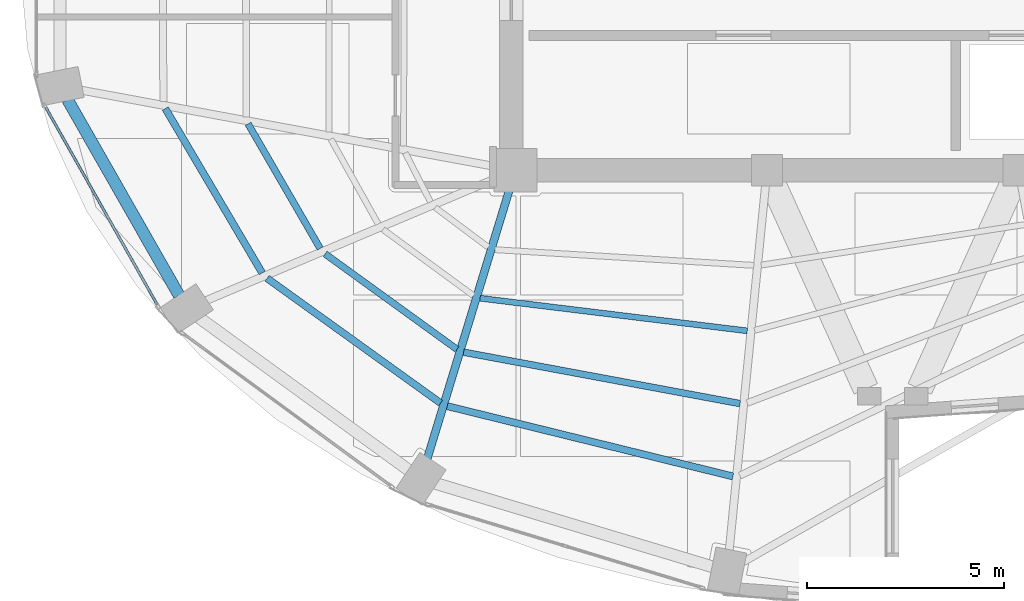
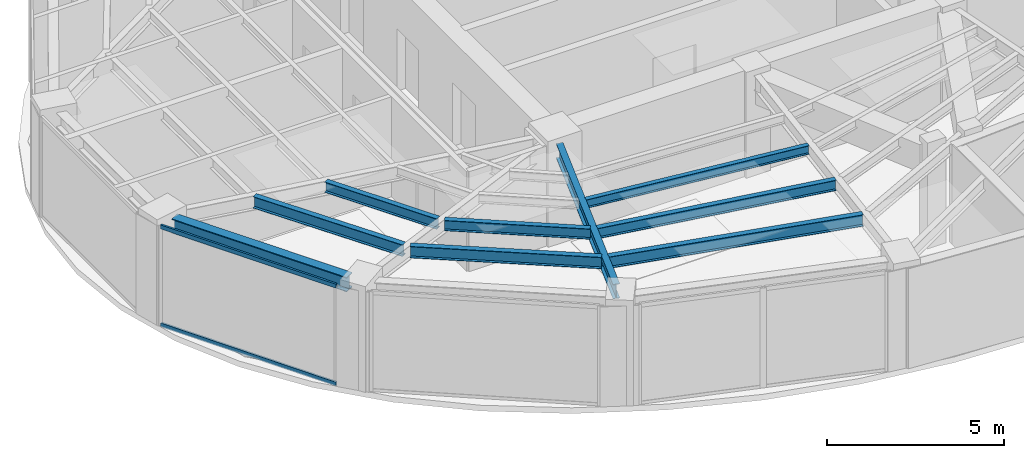
# One storey, part 3 of 23: 9 beams, 2 members, 1 element without a shape of its own.
"""IFC4 building model written with IfcOpenShell, lengths in metres."""

from ifc_helpers import new_model, si_unit, direction, frame, origin, origin_2d, place, context, subcontext, project, spatial, hollow_rectangle, i_section, extrude, material, layer, layer_set, material_profile, profile_set, type_object, element, aggregate, save


model = new_model("IFC4")

# Units and contexts
model_context = context("Model", 3, precision=1e-05, world=origin(), true_north=direction((0.0, 1.0)))
body_context = subcontext(model_context, "Body", "Model", "MODEL_VIEW")
ifc_project = project(units=[si_unit("LENGTHUNIT", "METRE"), si_unit("AREAUNIT", "SQUARE_METRE"), si_unit("VOLUMEUNIT", "CUBIC_METRE"), si_unit("PLANEANGLEUNIT", "RADIAN"), si_unit("MASSUNIT", "GRAM", prefix="KILO")], contexts=[model_context])

# Site, building, storey
site_placement = place(None, origin())
site = spatial("IfcSite", under=ifc_project, at=site_placement, CompositionType="ELEMENT")
building_placement = place(site_placement, origin())
building = spatial("IfcBuilding", under=site, at=building_placement, Name="Lazwardi Medical Tower", CompositionType="ELEMENT")
storey_placement = place(building_placement, frame((0.0, 0.0, 198.47998046875)))
storey = spatial("IfcBuildingStorey", under=building, at=storey_placement, Name="L51", CompositionType="ELEMENT", Elevation=198.47998046875)

# Beams
ifc_material_1 = material(Name="Steel S355", Category="steel")
ifc_material_profile_1 = material_profile(ifc_material_1, i_section(OverallWidth=0.300048828125, OverallDepth=0.5, WebThickness=0.014404296875, FlangeThickness=0.028076171875, at=origin_2d()), Name="HEB 500")
ifc_profile_set_1 = profile_set([ifc_material_profile_1], Name="Steel S355")
beam_type_1 = type_object("IfcBeamType", Name="BM-RB-Z4", PredefinedType="BEAM", material=ifc_profile_set_1)
beam_1_placement = place(storey_placement, frame((15.008056640625, 22.1982421875, 3.197998046875), z_axis=(0.495125273299, -0.868821594886, 0.0), x_axis=(0.868821594886, 0.495125273299, 0.0)))
element("IfcBeam", 1, at=beam_1_placement, inside=storey, type_object=beam_type_1, Name="Ring beam RB-05 B13 L51", PredefinedType="BEAM", context=body_context, shape_type="SweptSolid", body=[
    extrude(i_section(OverallWidth=0.300048828125, OverallDepth=0.5, WebThickness=0.014404296875, FlangeThickness=0.028076171875, at=origin_2d()), origin(), (0.0, 0.0, 1.0), 5.734130859375),
])
ifc_material_profile_2 = material_profile(ifc_material_1, i_section(OverallWidth=0.199951171875, OverallDepth=0.5, WebThickness=0.01025390625, FlangeThickness=0.01611328125, at=origin_2d()), Name="IPE 500")
ifc_profile_set_2 = profile_set([ifc_material_profile_2], Name="Steel S355")
beam_type_2 = type_object("IfcBeamType", Name="BM-RG-W3", PredefinedType="BEAM", material=ifc_profile_set_2)
beam_2_placement = place(storey_placement, frame((24.156005859375, 13.0576171875, 3.197998046875), z_axis=(0.292276716539, 0.956333791607, 0.0), x_axis=(-0.956333791607, 0.292276716539, 0.0)))
element("IfcBeam", 2, at=beam_2_placement, inside=storey, type_object=beam_type_2, Name="Radial girder RG-04 R15 L51", PredefinedType="BEAM", context=body_context, shape_type="SweptSolid", body=[
    extrude(i_section(OverallWidth=0.199951171875, OverallDepth=0.5, WebThickness=0.01025390625, FlangeThickness=0.01611328125, at=origin_2d()), origin(), (0.0, 0.0, 1.0), 7.142822265625),
])
ifc_material_profile_3 = material_profile(ifc_material_1, i_section(OverallWidth=0.179931640625, OverallDepth=0.39990234375, WebThickness=0.008544921875, FlangeThickness=0.013427734375, at=origin_2d()), Name="IPE 400")
ifc_profile_set_3 = profile_set([ifc_material_profile_3], Name="Steel S355")
beam_type_3 = type_object("IfcBeamType", Name="BM-SJ-01", PredefinedType="JOIST", material=ifc_profile_set_3)
beam_3_placement = place(storey_placement, frame((17.495849609375, 21.969482421875, 3.248046875), z_axis=(0.507710311367, -0.861527851977, 0.0), x_axis=(0.861527851977, 0.507710311367, 0.0)))
element("IfcBeam", 3, at=beam_3_placement, inside=storey, type_object=beam_type_3, Name="Secondary joist SJ-01 R1 B13 L51", PredefinedType="JOIST", context=body_context, shape_type="SweptSolid", body=[
    extrude(i_section(OverallWidth=0.179931640625, OverallDepth=0.39990234375, WebThickness=0.008544921875, FlangeThickness=0.013427734375, at=origin_2d()), origin(), (0.0, 0.0, 1.0), 4.852783203125),
])
beam_4_placement = place(storey_placement, frame((20.085205078125, 17.651123046875, 3.248046875), z_axis=(0.811889581337, -0.58381102055, 0.0), x_axis=(0.58381102055, 0.811889581337, 0.0)))
element("IfcBeam", 4, at=beam_4_placement, inside=storey, type_object=beam_type_3, Name="Secondary joist SJ-01 R1 B14 L51", PredefinedType="JOIST", context=body_context, shape_type="SweptSolid", body=[
    extrude(i_section(OverallWidth=0.179931640625, OverallDepth=0.39990234375, WebThickness=0.008544921875, FlangeThickness=0.013427734375, at=origin_2d()), origin(), (0.0, 0.0, 1.0), 5.433349609375),
])
beam_5_placement = place(storey_placement, frame((24.665771484375, 14.40087890625, 3.248046875), z_axis=(0.971041669317, -0.238910184904, 0.0), x_axis=(0.238910184904, 0.971041669317, 0.0)))
element("IfcBeam", 5, at=beam_5_placement, inside=storey, type_object=beam_type_3, Name="Secondary joist SJ-01 R1 B15 L51", PredefinedType="JOIST", context=body_context, shape_type="SweptSolid", body=[
    extrude(i_section(OverallWidth=0.179931640625, OverallDepth=0.39990234375, WebThickness=0.008544921875, FlangeThickness=0.013427734375, at=origin_2d()), origin(), (0.0, 0.0, 1.0), 7.482421875),
])
ifc_material_profile_4 = material_profile(ifc_material_1, i_section(OverallWidth=0.169921875, OverallDepth=0.360107421875, WebThickness=0.008056640625, FlangeThickness=0.0126953125, at=origin_2d()), Name="IPE 360")
ifc_profile_set_4 = profile_set([ifc_material_profile_4], Name="Steel S355")
beam_type_4 = type_object("IfcBeamType", Name="BM-SJ-02", PredefinedType="JOIST", material=ifc_profile_set_4)
beam_6_placement = place(storey_placement, frame((19.601806640625, 21.58056640625, 3.26806640625), z_axis=(0.500655179543, -0.865646805109, 0.0), x_axis=(0.865646805109, 0.500655179543, 0.0)))
element("IfcBeam", 6, at=beam_6_placement, inside=storey, type_object=beam_type_4, Name="Secondary joist SJ-02 R2 B13 L51", PredefinedType="JOIST", context=body_context, shape_type="SweptSolid", body=[
    extrude(i_section(OverallWidth=0.169921875, OverallDepth=0.360107421875, WebThickness=0.008056640625, FlangeThickness=0.0126953125, at=origin_2d()), origin(), (0.0, 0.0, 1.0), 3.662109375),
])
beam_7_placement = place(storey_placement, frame((21.559814453125, 18.2724609375, 3.26806640625), z_axis=(0.810164229155, -0.586202969796, 0.0), x_axis=(0.586202969796, 0.810164229155, 0.0)))
element("IfcBeam", 7, at=beam_7_placement, inside=storey, type_object=beam_type_4, Name="Secondary joist SJ-02 R2 B14 L51", PredefinedType="JOIST", context=body_context, shape_type="SweptSolid", body=[
    extrude(i_section(OverallWidth=0.169921875, OverallDepth=0.360107421875, WebThickness=0.008056640625, FlangeThickness=0.0126953125, at=origin_2d()), origin(), (0.0, 0.0, 1.0), 4.14013671875),
])
beam_8_placement = place(storey_placement, frame((25.08447265625, 15.7724609375, 3.26806640625), z_axis=(0.983132476587, -0.182894870019, 0.0), x_axis=(0.182894870019, 0.983132476587, 0.0)))
element("IfcBeam", 8, at=beam_8_placement, inside=storey, type_object=beam_type_4, Name="Secondary joist SJ-02 R2 B15 L51", PredefinedType="JOIST", context=body_context, shape_type="SweptSolid", body=[
    extrude(i_section(OverallWidth=0.169921875, OverallDepth=0.360107421875, WebThickness=0.008056640625, FlangeThickness=0.0126953125, at=origin_2d()), origin(), (0.0, 0.0, 1.0), 7.15087890625),
])
ifc_material_profile_5 = material_profile(ifc_material_1, i_section(OverallWidth=0.14990234375, OverallDepth=0.300048828125, WebThickness=0.007080078125, FlangeThickness=0.0107421875, at=origin_2d()), Name="IPE 300")
ifc_profile_set_5 = profile_set([ifc_material_profile_5], Name="Steel S355")
beam_type_5 = type_object("IfcBeamType", Name="BM-SJ-03", PredefinedType="JOIST", material=ifc_profile_set_5)
beam_9_placement = place(storey_placement, frame((25.5029296875, 17.14453125, 3.298095703125), z_axis=(0.992634689535, -0.121146081783, 0.0), x_axis=(0.121146081783, 0.992634689535, 0.0)))
element("IfcBeam", 9, at=beam_9_placement, inside=storey, type_object=beam_type_5, Name="Secondary joist SJ-03 R3 B15 L51", PredefinedType="JOIST", context=body_context, shape_type="SweptSolid", body=[
    extrude(i_section(OverallWidth=0.14990234375, OverallDepth=0.300048828125, WebThickness=0.007080078125, FlangeThickness=0.0107421875, at=origin_2d()), origin(), (0.0, 0.0, 1.0), 6.845947265625),
])

# Curtain wall, members
ifc_material_2 = material(Name="Anodised bronze aluminium and solar control glazing", Category="aluminium")
ifc_layer = layer(ifc_material_2, 0.18994140625)
ifc_layer_set = layer_set([ifc_layer], Name="Anodised bronze aluminium and solar control glazing")
curtain_wall_type = type_object("IfcCurtainWallType", Name="CW-SYS-04", PredefinedType="NOTDEFINED", material=ifc_layer_set)
curtain_wall_placement = place(storey_placement, origin())
curtain_wall = element("IfcCurtainWall", 10, at=curtain_wall_placement, inside=storey, type_object=curtain_wall_type, Name="L51 Unitised bronze curtain wall CW-04", PredefinedType="NOTDEFINED")
ifc_material_3 = material(Name="Anodised bronze aluminium", Category="aluminium")
ifc_material_profile_6 = material_profile(ifc_material_3, hollow_rectangle(XDim=0.06494140625, YDim=0.139892578125, WallThickness=0.00341796875, at=origin_2d()), Name="ALU-TRANSOM 140x65x3.5")
ifc_profile_set_6 = profile_set([ifc_material_profile_6], Name="Anodised bronze aluminium")
member_type = type_object("IfcMemberType", Name="CW-TRN-03", PredefinedType="USERDEFINED", material=ifc_profile_set_6)
member_1_placement = place(storey_placement, frame((14.458740234375, 21.993408203125, 0.032470703125), z_axis=(0.491897887635, -0.870652897623, 0.0), x_axis=(0.870652897623, 0.491897887635, 0.0)))
member_1 = element("IfcMember", 11, at=member_1_placement, type_object=member_type, Name="CW-04 transom 1.1", ObjectType="TRANSOM", PredefinedType="USERDEFINED", context=body_context, shape_type="SweptSolid", body=[
    extrude(hollow_rectangle(XDim=0.06494140625, YDim=0.139892578125, WallThickness=0.00341796875, at=origin_2d()), origin(), (0.0, 0.0, 1.0), 5.7548828125),
])
member_2_placement = place(storey_placement, frame((14.458740234375, 21.993408203125, 3.41552734375), z_axis=(0.491897887635, -0.870652897623, 0.0), x_axis=(0.870652897623, 0.491897887635, 0.0)))
member_2 = element("IfcMember", 12, at=member_2_placement, type_object=member_type, Name="CW-04 transom 1.2", ObjectType="TRANSOM", PredefinedType="USERDEFINED", context=body_context, shape_type="SweptSolid", body=[
    extrude(hollow_rectangle(XDim=0.06494140625, YDim=0.139892578125, WallThickness=0.00341796875, at=origin_2d()), origin(), (0.0, 0.0, 1.0), 5.7548828125),
])
aggregate(curtain_wall, [member_1, member_2])

save(model, "model.ifc")
